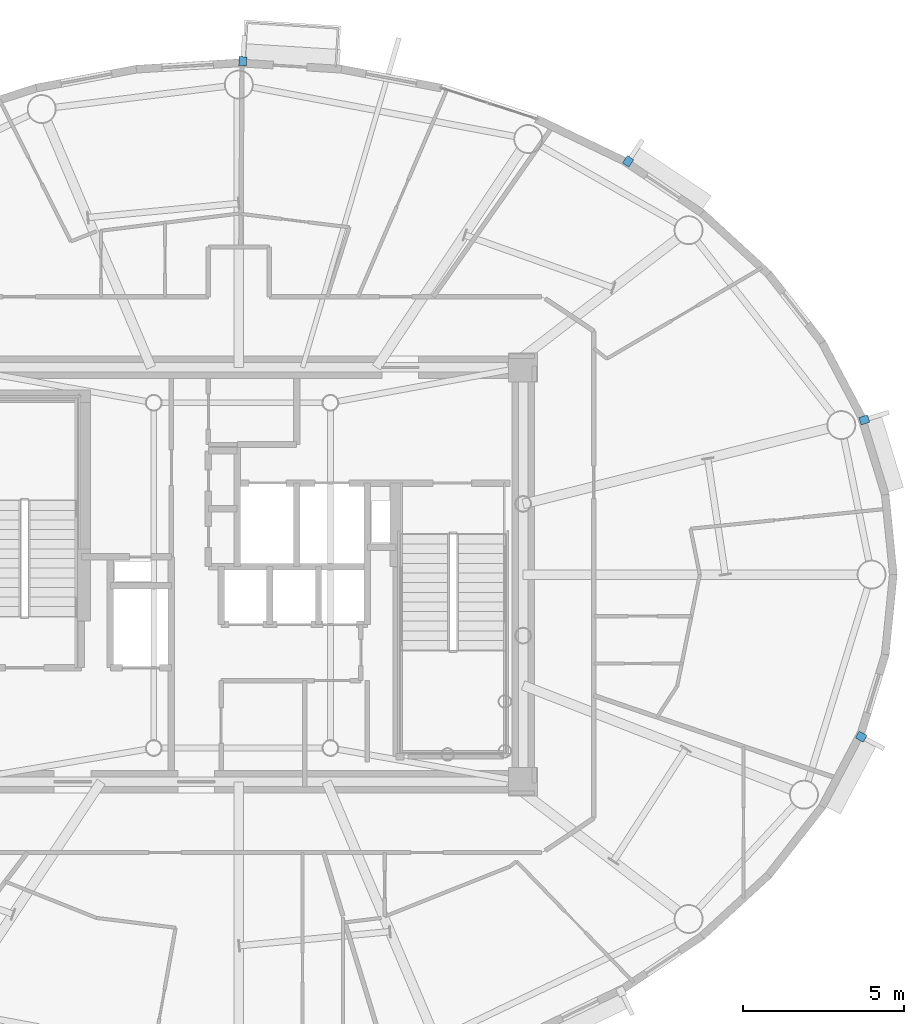
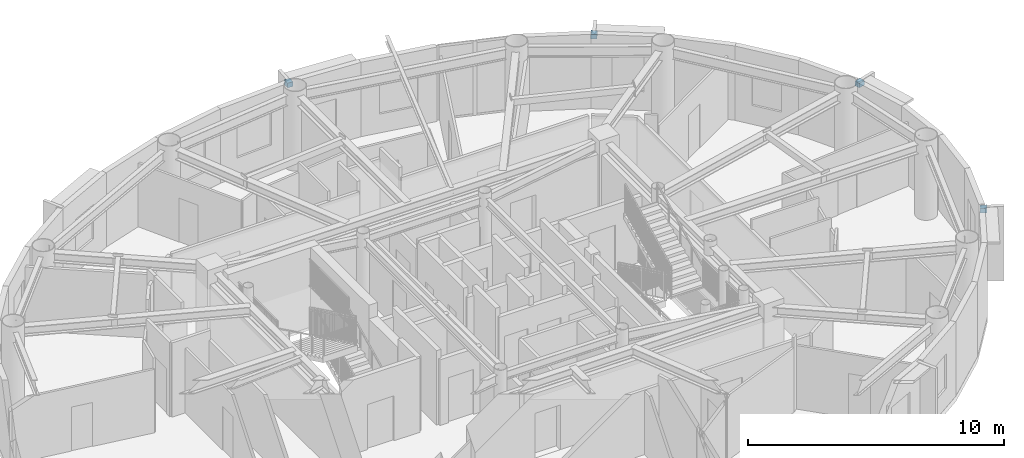
# One storey, part 11 of 17: 4 discrete accessories.
"""IFC4 building model written with IfcOpenShell, lengths in metres."""

import ifcopenshell
import ifcopenshell.guid

model = None  # the IFC model being written
_history = None  # IfcOwnerHistory: only IFC2X3 demands one
_inside = {}  # id of a spatial element -> (the spatial element, [elements in it])
_under = {}  # id of a project, library or spatial element -> (it, [spatial elements below it])
_declared = {}  # id of a project -> (the project, [libraries it declares])
_typed = {}  # id of a type object -> (the type object, [elements of that type])
_made_of = {}  # id of a material, layer set ... -> (it, [elements and type objects made of it])


def new_model(schema):
    """Start an empty IFC model of exactly this schema.

    Asked for "IFC4X3", IfcOpenShell would pick the latest addendum, in which some entities
    have other attributes; the version numbers below select the first issue.
    IFC2X3 requires an IfcOwnerHistory on every rooted entity: one is made here for all.
    """
    global model, _history
    if schema == "IFC4X3":
        model = ifcopenshell.file(schema_version=(4, 3, 0, 0))
    else:
        model = ifcopenshell.file(schema=schema)
    _inside.clear()
    _under.clear()
    _declared.clear()
    _typed.clear()
    _made_of.clear()
    _history = None
    if model.schema == "IFC2X3":
        org = make("IfcOrganization", Name="unknown")
        user = make(
            "IfcPersonAndOrganization",
            ThePerson=make("IfcPerson", FamilyName="unknown"),
            TheOrganization=org,
        )
        app = make(
            "IfcApplication",
            ApplicationDeveloper=org,
            Version="unknown",
            ApplicationFullName="unknown",
            ApplicationIdentifier="unknown",
        )
        _history = make(
            "IfcOwnerHistory",
            OwningUser=user,
            OwningApplication=app,
            ChangeAction="ADDED",
            CreationDate=0,
        )
    return model


def make(cls, **values):
    """One entity of the class cls with the attributes given. An attribute that is None is left unset."""
    return model.create_entity(
        cls, **{name: value for name, value in values.items() if value is not None}
    )


def rooted(cls, **values):
    """An entity with a GlobalId (a new one), such as an element, a storey or a relation."""
    return make(cls, GlobalId=ifcopenshell.guid.new(), OwnerHistory=_history, **values)


def si_unit(unit_type, name, prefix=None):
    """IfcSIUnit, for example si_unit("LENGTHUNIT", "METRE", prefix="MILLI")."""
    return make("IfcSIUnit", UnitType=unit_type, Prefix=prefix, Name=name)


def assignment(units):
    """IfcUnitAssignment: the units of a project."""
    return None if units is None else make("IfcUnitAssignment", Units=units)


def point(xyz):
    """IfcCartesianPoint."""
    return None if xyz is None else make("IfcCartesianPoint", Coordinates=xyz)


def direction(xyz):
    """IfcDirection."""
    return None if xyz is None else make("IfcDirection", DirectionRatios=xyz)


def frame(location, z_axis=None, x_axis=None):
    """IfcAxis2Placement3D, a coordinate frame: its origin and axes. An axis left out is left unset."""
    return make(
        "IfcAxis2Placement3D",
        Location=point(location),
        Axis=direction(z_axis),
        RefDirection=direction(x_axis),
    )


def frame_2d(location, x_axis=None):
    """IfcAxis2Placement2D, a coordinate frame in the plane: its origin and x axis."""
    return make(
        "IfcAxis2Placement2D", Location=point(location), RefDirection=direction(x_axis)
    )


def origin():
    """The frame at (0, 0, 0) with its axes left unset."""
    return frame((0.0, 0.0, 0.0))


def origin_2d():
    """The frame at (0, 0) in the plane with its x axis left unset."""
    return frame_2d((0.0, 0.0))


def place(relative_to, where):
    """IfcLocalPlacement: puts the frame where relative to a parent placement (None: the world)."""
    return make(
        "IfcLocalPlacement", PlacementRelTo=relative_to, RelativePlacement=where
    )


def context(
    kind, dimensions, precision=None, world=None, true_north=None, identifier=None
):
    """IfcGeometricRepresentationContext, for example the 3D "Model" context."""
    return make(
        "IfcGeometricRepresentationContext",
        ContextIdentifier=identifier,
        ContextType=kind,
        CoordinateSpaceDimension=dimensions,
        Precision=precision,
        WorldCoordinateSystem=world,
        TrueNorth=true_north,
    )


def subcontext(parent, identifier, kind, view, scale=None):
    """IfcGeometricRepresentationSubContext, for example "Body" below "Model"."""
    return make(
        "IfcGeometricRepresentationSubContext",
        ContextIdentifier=identifier,
        ContextType=kind,
        ParentContext=parent,
        TargetScale=scale,
        TargetView=view,
    )


def project(units=None, contexts=None):
    """IfcProject with its units and contexts."""
    return rooted(
        "IfcProject",
        Name="project",
        RepresentationContexts=contexts,
        UnitsInContext=assignment(units),
    )


def spatial(cls, under=None, at=None, **own):
    """A site, building, storey or space (cls), placed at a placement, below another one or the project."""
    s = rooted(cls, ObjectPlacement=at, **own)
    if under is not None:
        _under.setdefault(under.id(), (under, []))[1].append(s)
    return s


def profile(cls, at=None, kind="AREA", **sizes):
    """A parametric profile (cls). Its sizes go by their IFC names, for example OverallWidth=200.0."""
    return make(cls, ProfileType=kind, Position=at, **sizes)


def rectangle(**sizes):
    """IfcRectangleProfileDef."""
    return profile("IfcRectangleProfileDef", **sizes)


def extrude(swept, where, along, depth):
    """IfcExtrudedAreaSolid: the profile swept, set in the frame where, extruded along a direction by depth."""
    return make(
        "IfcExtrudedAreaSolid",
        SweptArea=swept,
        Position=where,
        ExtrudedDirection=direction(along),
        Depth=depth,
    )


def shape(context_of_items, identifier, shape_type, items):
    """IfcShapeRepresentation: the items that make up one representation, for example the "Body"."""
    return make(
        "IfcShapeRepresentation",
        ContextOfItems=context_of_items,
        RepresentationIdentifier=identifier,
        RepresentationType=shape_type,
        Items=items,
    )


def source(mapping_origin, context_of_items, identifier, shape_type, items):
    """IfcRepresentationMap: a shape defined once, which mapped items show again and again."""
    return make(
        "IfcRepresentationMap",
        MappingOrigin=mapping_origin,
        MappedRepresentation=shape(context_of_items, identifier, shape_type, items),
    )


def transform(
    local_origin,
    x_axis=None,
    y_axis=None,
    z_axis=None,
    scale=None,
    scale2=None,
    scale3=None,
    uniform=True,
):
    """IfcCartesianTransformationOperator3D, or its non-uniform kind. x_axis, y_axis, z_axis: its Axis1, 2, 3."""
    if uniform:
        return make(
            "IfcCartesianTransformationOperator3D",
            Axis1=direction(x_axis),
            Axis2=direction(y_axis),
            LocalOrigin=point(local_origin),
            Scale=scale,
            Axis3=direction(z_axis),
        )
    return make(
        "IfcCartesianTransformationOperator3DnonUniform",
        Axis1=direction(x_axis),
        Axis2=direction(y_axis),
        LocalOrigin=point(local_origin),
        Scale=scale,
        Axis3=direction(z_axis),
        Scale2=scale2,
        Scale3=scale3,
    )


def mapped(mapping_source, mapping_target):
    """IfcMappedItem: shows the shape of a source again, moved by a transform."""
    return make(
        "IfcMappedItem", MappingSource=mapping_source, MappingTarget=mapping_target
    )


def material(Name=None, Category=None):
    """IfcMaterial."""
    return make("IfcMaterial", Name=Name, Category=Category)


def made_of(thing, what):
    """Note that an element or type object is made of a material, layer set ...; save() writes the relation."""
    if what is not None:
        _made_of.setdefault(what.id(), (what, []))[1].append(thing)
    return thing


def type_object(cls, material=None, **own):
    """A type object (cls), such as IfcWallType, which elements share."""
    return made_of(rooted(cls, **own), material)


def element(
    cls,
    number,
    at=None,
    inside=None,
    cuts=None,
    type_object=None,
    material=None,
    context=None,
    identifier="Body",
    shape_type=None,
    held_by="IfcProductDefinitionShape",
    body=None,
    shapes=None,
    **own,
):
    """One element of the class cls, such as IfcWall. Its Tag is "e" and its number.

    at: its placement. inside: the storey or other place that contains it. cuts: it is an
    opening in that element (IfcRelVoidsElement). A single representation is given by context,
    identifier, shape_type and body (its items); several are given by shapes. held_by: the class
    of the entity that holds the representations. save() writes the other relations.
    """
    e = rooted(cls, Tag="e%d" % number, ObjectPlacement=at, **own)
    if body is not None:
        shapes = [shape(context, identifier, shape_type, body)]
    if shapes is not None:
        e.Representation = make(held_by, Representations=shapes)
    if inside is not None:
        _inside.setdefault(inside.id(), (inside, []))[1].append(e)
    if cuts is not None:
        rooted(
            "IfcRelVoidsElement", RelatingBuildingElement=cuts, RelatedOpeningElement=e
        )
    if type_object is not None:
        _typed.setdefault(type_object.id(), (type_object, []))[1].append(e)
    return made_of(e, material)


def aggregate(whole, parts):
    """IfcRelAggregates: a whole, such as a stair, and the parts it consists of."""
    return rooted("IfcRelAggregates", RelatingObject=whole, RelatedObjects=parts)


def save(model, path):
    """Write the relations noted so far, then the file.

    IfcRelAggregates (storeys below a building ...), IfcRelContainedInSpatialStructure (elements
    in a storey), IfcRelDefinesByType, IfcRelAssociatesMaterial and IfcRelDeclares: one each for
    every whole, place, type object, material and project.
    """
    for whole, parts in _under.values():
        aggregate(whole, parts)
    for where, things in _inside.values():
        rooted(
            "IfcRelContainedInSpatialStructure",
            RelatedElements=things,
            RelatingStructure=where,
        )
    for kind, things in _typed.values():
        rooted("IfcRelDefinesByType", RelatedObjects=things, RelatingType=kind)
    for what, things in _made_of.values():
        rooted("IfcRelAssociatesMaterial", RelatedObjects=things, RelatingMaterial=what)
    for by, libraries in _declared.values():
        rooted("IfcRelDeclares", RelatingContext=by, RelatedDefinitions=libraries)
    model.write(path)


model = new_model("IFC4")

# Units and contexts
model_context = context("Model", 3, precision=1e-05, world=origin(), true_north=direction((0.0, 1.0)))
body_context = subcontext(model_context, "Body", "Model", "MODEL_VIEW")
ifc_project = project(units=[si_unit("LENGTHUNIT", "METRE"), si_unit("AREAUNIT", "SQUARE_METRE"), si_unit("VOLUMEUNIT", "CUBIC_METRE"), si_unit("PLANEANGLEUNIT", "RADIAN"), si_unit("MASSUNIT", "GRAM", prefix="KILO")], contexts=[model_context])

# Site, building, storey
site_placement = place(None, origin())
site = spatial("IfcSite", under=ifc_project, at=site_placement, CompositionType="ELEMENT")
building_placement = place(site_placement, origin())
building = spatial("IfcBuilding", under=site, at=building_placement, Name="Linh Dai School and Residence Tower", CompositionType="ELEMENT")
storey_placement = place(building_placement, frame((0.0, 0.0, 331.60009765625)))
storey = spatial("IfcBuildingStorey", under=building, at=storey_placement, Name="L82", CompositionType="ELEMENT", Elevation=331.60009765625)

# Discrete accessories
ifc_material = material(Name="Structural Steel S355JR", Category="steel")
discrete_accessory_type = type_object("IfcDiscreteAccessoryType", Name="ACC-BRK-S355", PredefinedType="BRACKET", material=ifc_material)
shared_shape = source(origin(), body_context, "Body", "SweptSolid", [
    extrude(rectangle(XDim=0.280029296875, YDim=0.239990234375, at=origin_2d()), origin(), (0.0, 0.0, 1.0), 0.219970703125),
])
for number, where, z_axis, x_axis, name in (
    (1, (55.4736328125, 31.816162109375, 3.2998046875), (0.0, 0.0, 1.0), (0.956083389379, 0.293094784248, 0.0), "L82 Facade Frame Anchor Bracket 02"),
    (2, (48.120849609375, 39.86328125, 3.2998046875), (0.0, 0.0, 1.0), (0.555970777144, 0.831201837679, 0.0), "L82 Facade Frame Anchor Bracket 06"),
    (3, (36.12353515625, 42.982421875, 3.2998046875), (0.0, 0.0, 1.0), (0.061518467854, 0.998105945335, 0.0), "L82 Facade Frame Anchor Bracket 10"),
    (4, (55.378173828125, 21.952392578125, 3.2998046875), (0.0, 0.0, 1.0), (0.883971809156, -0.46754020214, 0.0), "L82 Facade Frame Anchor Bracket 38"),
):
    element("IfcDiscreteAccessory", number, at=place(storey_placement, frame(where, z_axis=z_axis, x_axis=x_axis)), inside=storey, type_object=discrete_accessory_type, Name=name, PredefinedType="BRACKET", context=body_context, shape_type="MappedRepresentation", body=[
        mapped(shared_shape, transform((0.0, 0.0, 0.0), x_axis=(1.0, 0.0, 0.0), y_axis=(0.0, 1.0, 0.0), z_axis=(0.0, 0.0, 1.0), scale=1.0)),
    ])

save(model, "model.ifc")
